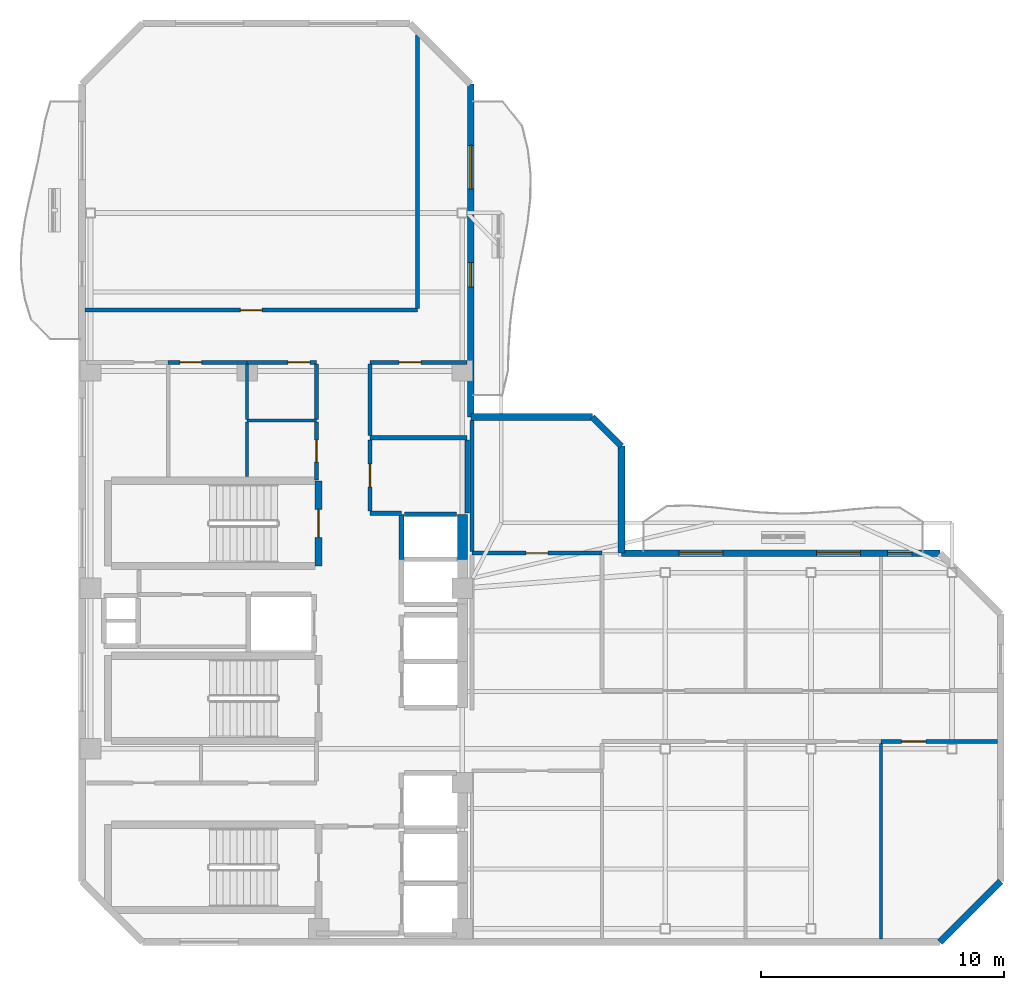
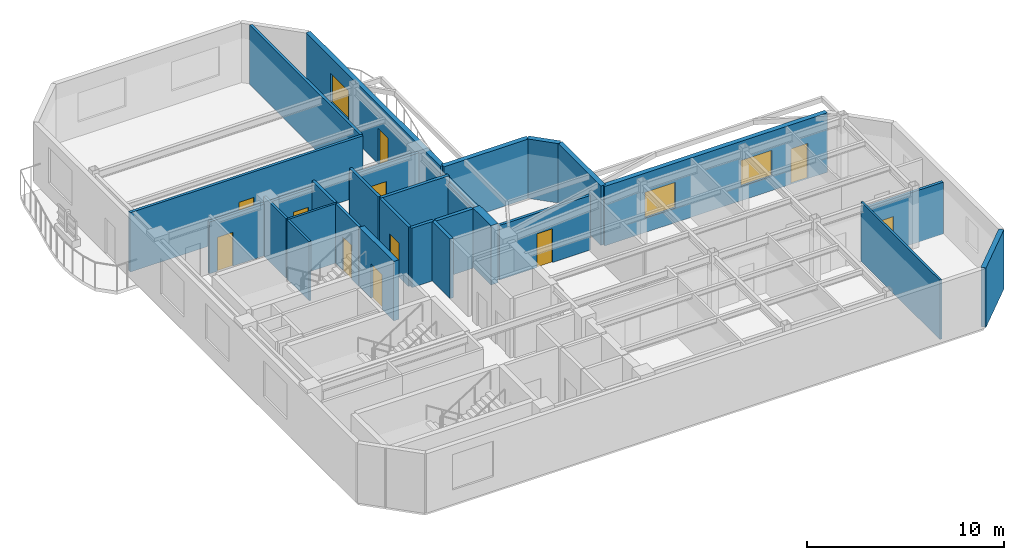
# One storey, part 4 of 7: 29 walls, 11 doors, 3 windows, 14 openings.
"""IFC4 building model written with IfcOpenShell, lengths in metres."""

from ifc_helpers import new_model, si_unit, direction, frame, frame_2d, origin, place, context, subcontext, project, spatial, rectangle, extrude, material, layer, layer_set, type_object, element, fill, save


model = new_model("IFC4")

# Units and contexts
model_context = context("Model", 3, precision=1e-05, world=origin(), true_north=direction((0.0, 1.0)))
body_context = subcontext(model_context, "Body", "Model", "MODEL_VIEW")
ifc_project = project(units=[si_unit("LENGTHUNIT", "METRE"), si_unit("AREAUNIT", "SQUARE_METRE"), si_unit("VOLUMEUNIT", "CUBIC_METRE"), si_unit("PLANEANGLEUNIT", "RADIAN"), si_unit("MASSUNIT", "GRAM", prefix="KILO")], contexts=[model_context])

# Site, building, storey
site_placement = place(None, origin())
site = spatial("IfcSite", under=ifc_project, at=site_placement, CompositionType="ELEMENT")
building_placement = place(site_placement, origin())
building = spatial("IfcBuilding", under=site, at=building_placement, Name="Mawjaban Terraces University", CompositionType="ELEMENT")
storey_placement = place(building_placement, frame((0.0, 0.0, 287.199951171875)))
storey = spatial("IfcBuildingStorey", under=building, at=storey_placement, Name="L70", CompositionType="ELEMENT", Elevation=287.199951171875)

# Walls
ifc_material_1 = material(Name="Acoustic masonry blockwork", Category="masonry")
ifc_layer_1 = layer(ifc_material_1, 0.179931640625)
ifc_layer_set_1 = layer_set([ifc_layer_1], Name="Acoustic masonry blockwork")
wall_type_1 = type_object("IfcWallType", Name="AcousticStudioWall_180", PredefinedType="PARTITIONING", material=ifc_layer_set_1)
wall_1_placement = place(storey_placement, frame((33.85009765625, 17.64990234375, 0.0), z_axis=(0.0, 0.0, 1.0), x_axis=(1.0, 0.0, 0.0)))
element("IfcWall", 1, at=wall_1_placement, inside=storey, type_object=wall_type_1, Name="L70 Graduate Research Collaboration Studio Partition 10", PredefinedType="PARTITIONING", context=body_context, shape_type="SweptSolid", body=[
    extrude(rectangle(XDim=1.2998046875, YDim=0.179931640625, at=frame_2d((0.64990234375, 0.0))), origin(), (0.0, 0.0, 1.0), 3.68994140625),
])
wall_2_placement = place(storey_placement, frame((37.85009765625, 20.75, 0.0), z_axis=(0.0, 0.0, 1.0), x_axis=(-1.0, 0.0, 0.0)))
element("IfcWall", 2, at=wall_2_placement, inside=storey, type_object=wall_type_1, Name="L70 Graduate Research Collaboration Studio Partition 13", PredefinedType="PARTITIONING", context=body_context, shape_type="SweptSolid", body=[
    extrude(rectangle(XDim=4.0, YDim=0.179931640625, at=frame_2d((2.0, 0.0))), origin(), (0.0, 0.0, 1.0), 3.68994140625),
])

# Wall, opening, door
wall_3_placement = place(storey_placement, frame((33.85009765625, 17.735107421875, 0.0), z_axis=(0.0, 0.0, 1.0), x_axis=(0.0, 1.0, 0.0)))
wall_3 = element("IfcWall", 3, at=wall_3_placement, inside=storey, type_object=wall_type_1, Name="L70 Core North Lift Lobby Partition 31", PredefinedType="PARTITIONING", context=body_context, shape_type="SweptSolid", body=[
    extrude(rectangle(XDim=2.929931640625, YDim=0.179931640625, at=frame_2d((1.46484375, 0.0))), origin(), (0.0, 0.0, 1.0), 3.68994140625),
])
opening_1_placement = place(wall_3_placement, frame((0.989990234375, 0.0, 0.0)))
opening_1 = element("IfcOpeningElement", 4, at=opening_1_placement, cuts=wall_3, Name="Opening ID-095", PredefinedType="OPENING", context=body_context, shape_type="SweptSolid", body=[
    extrude(rectangle(XDim=0.949951171875, YDim=2.10009765625, at=frame_2d((0.47509765625, 1.050048828125))), frame((0.0, 0.099853515625, 0.0), z_axis=(0.0, -1.0, 0.0), x_axis=(1.0, 0.0, 0.0)), (0.0, 0.0, 1.0), 0.199951171875),
])
ifc_material_2 = material(Name="Powder-coated steel frame and solid acoustic timber leaf", Category="steel")
door_type_1 = type_object("IfcDoorType", Name="StudioDoor_950x2100", OperationType="NOTDEFINED", PredefinedType="DOOR", material=ifc_material_2)
door_1_placement = place(opening_1_placement, origin())
door_1 = element("IfcDoor", 5, at=door_1_placement, inside=storey, type_object=door_type_1, Name="L70 Graduate Research Collaboration Studio Door", OperationType="SINGLE_SWING_RIGHT", OverallHeight=2.10009765625, OverallWidth=0.949951171875, PredefinedType="DOOR", context=body_context, shape_type="SweptSolid", body=[
    extrude(rectangle(XDim=0.949951171875, YDim=2.10009765625, at=frame_2d((0.47509765625, 1.050048828125))), frame((0.0, 0.02490234375, 0.0), z_axis=(0.0, -1.0, 0.0), x_axis=(1.0, 0.0, 0.0)), (0.0, 0.0, 1.0), 0.050048828125),
])
fill(opening_1, door_1)

# Walls
wall_4_placement = place(storey_placement, frame((37.85009765625, 17.64990234375, 0.0), z_axis=(0.0, 0.0, 1.0), x_axis=(0.0, 1.0, 0.0)))
element("IfcWall", 6, at=wall_4_placement, inside=storey, type_object=wall_type_1, Name="L70 Graduate Research Collaboration Studio Partition 34", PredefinedType="PARTITIONING", context=body_context, shape_type="SweptSolid", body=[
    extrude(rectangle(XDim=3.01513671875, YDim=0.179931640625, at=frame_2d((1.507568359375, 0.0))), origin(), (0.0, 0.0, 1.0), 3.220947265625),
])
wall_5_placement = place(storey_placement, frame((38.050048828125, 21.468017578125, 0.0), z_axis=(0.0, 0.0, 1.0), x_axis=(0.0, -1.0, 0.0)))
element("IfcWall", 7, at=wall_5_placement, inside=storey, type_object=wall_type_1, Name="L70 Terrace Collaborative Study Room Partition 37", PredefinedType="PARTITIONING", context=body_context, shape_type="SweptSolid", body=[
    extrude(rectangle(XDim=5.39306640625, YDim=0.179931640625, at=frame_2d((2.696533203125, 0.0))), origin(), (0.0, 0.0, 1.0), 3.220947265625),
])
ifc_material_3 = material(Name="Concrete C50/60", Category="concrete")
ifc_layer_2 = layer(ifc_material_3, 0.419921875)
ifc_layer_set_2 = layer_set([ifc_layer_2], Name="Concrete C50/60")
wall_type_2 = type_object("IfcWallType", Name="CoreShearWall_420", PredefinedType="SHEAR", material=ifc_layer_set_2)
wall_6_placement = place(storey_placement, frame((37.659912109375, 15.75, 0.0), z_axis=(0.0, 0.0, 1.0), x_axis=(0.0, 1.0, 0.0)))
element("IfcWall", 8, at=wall_6_placement, inside=storey, type_object=wall_type_2, Name="L70 Lift OL-2 Hoistway Wall East", PredefinedType="SHEAR", context=body_context, shape_type="SweptSolid", body=[
    extrude(rectangle(XDim=1.85009765625, YDim=0.419921875, at=frame_2d((0.925048828125, 0.0))), origin(), (0.0, 0.0, 1.0), 3.68994140625),
])

# Wall, opening, door
ifc_material_4 = material(Name="Fire-rated gypsum board on steel stud", Category="steel")
ifc_layer_3 = layer(ifc_material_4, 0.159912109375)
ifc_layer_set_3 = layer_set([ifc_layer_3], Name="Fire-rated gypsum board on steel stud")
wall_type_3 = type_object("IfcWallType", Name="CorridorPartition_160", PredefinedType="PARTITIONING", material=ifc_layer_set_3)
wall_7_placement = place(storey_placement, frame((28.800048828125, 23.85009765625, 0.0), z_axis=(0.0, 0.0, 1.0), x_axis=(-1.0, 0.0, 0.0)))
wall_7 = element("IfcWall", 9, at=wall_7_placement, inside=storey, type_object=wall_type_3, Name="L70 Staff Tea Pantry Partition 5", PredefinedType="PARTITIONING", context=body_context, shape_type="SweptSolid", body=[
    extrude(rectangle(XDim=3.25, YDim=0.159912109375, at=frame_2d((1.625, 0.0))), origin(), (0.0, 0.0, 1.0), 3.220947265625),
])
opening_2_placement = place(wall_7_placement, frame((1.875, 0.0, 0.0)))
opening_2 = element("IfcOpeningElement", 10, at=opening_2_placement, cuts=wall_7, Name="Opening ID-090", PredefinedType="OPENING", context=body_context, shape_type="SweptSolid", body=[
    extrude(rectangle(XDim=0.89990234375, YDim=2.10009765625, at=frame_2d((0.449951171875, 1.050048828125))), frame((0.0, 0.08984375, 0.0), z_axis=(0.0, -1.0, 0.0), x_axis=(1.0, 0.0, 0.0)), (0.0, 0.0, 1.0), 0.179931640625),
])
door_type_2 = type_object("IfcDoorType", Name="OfficeDoor_900x2100", OperationType="NOTDEFINED", PredefinedType="DOOR", material=ifc_material_2)
door_2_placement = place(opening_2_placement, origin())
door_2 = element("IfcDoor", 11, at=door_2_placement, inside=storey, type_object=door_type_2, Name="L70 Staff Tea Pantry Door", OperationType="SINGLE_SWING_RIGHT", OverallHeight=2.10009765625, OverallWidth=0.89990234375, PredefinedType="DOOR", context=body_context, shape_type="SweptSolid", body=[
    extrude(rectangle(XDim=0.89990234375, YDim=2.10009765625, at=frame_2d((0.449951171875, 1.050048828125))), frame((0.0, 0.02490234375, 0.0), z_axis=(0.0, -1.0, 0.0), x_axis=(1.0, 0.0, 0.0)), (0.0, 0.0, 1.0), 0.050048828125),
])
fill(opening_2, door_2)

wall_8_placement = place(storey_placement, frame((31.64990234375, 23.85009765625, 0.0), z_axis=(0.0, 0.0, 1.0), x_axis=(-1.0, 0.0, 0.0)))
wall_8 = element("IfcWall", 12, at=wall_8_placement, inside=storey, type_object=wall_type_3, Name="L70 Faculty Consultation Alcove Partition 9", PredefinedType="PARTITIONING", context=body_context, shape_type="SweptSolid", body=[
    extrude(rectangle(XDim=2.849853515625, YDim=0.159912109375, at=frame_2d((1.4248046875, 0.0))), origin(), (0.0, 0.0, 1.0), 3.220947265625),
])
opening_3_placement = place(wall_8_placement, frame((0.27490234375, 0.0, 0.0)))
opening_3 = element("IfcOpeningElement", 13, at=opening_3_placement, cuts=wall_8, Name="Opening ID-090", PredefinedType="OPENING", context=body_context, shape_type="SweptSolid", body=[
    extrude(rectangle(XDim=0.89990234375, YDim=2.10009765625, at=frame_2d((0.449951171875, 1.050048828125))), frame((0.0, 0.08984375, 0.0), z_axis=(0.0, -1.0, 0.0), x_axis=(1.0, 0.0, 0.0)), (0.0, 0.0, 1.0), 0.179931640625),
])
door_3_placement = place(opening_3_placement, origin())
door_3 = element("IfcDoor", 14, at=door_3_placement, inside=storey, type_object=door_type_2, Name="L70 Faculty Consultation Alcove Door", OperationType="SINGLE_SWING_LEFT", OverallHeight=2.10009765625, OverallWidth=0.89990234375, PredefinedType="DOOR", context=body_context, shape_type="SweptSolid", body=[
    extrude(rectangle(XDim=0.89990234375, YDim=2.10009765625, at=frame_2d((0.449951171875, 1.050048828125))), frame((0.0, 0.02490234375, 0.0), z_axis=(0.0, -1.0, 0.0), x_axis=(1.0, 0.0, 0.0)), (0.0, 0.0, 1.0), 0.050048828125),
])
fill(opening_3, door_3)

wall_9_placement = place(storey_placement, frame((35.800048828125, 26.0, 0.0), z_axis=(0.0, 0.0, 1.0), x_axis=(-1.0, 0.0, 0.0)))
wall_9 = element("IfcWall", 15, at=wall_9_placement, inside=storey, type_object=wall_type_3, Name="L70 North Core Cross-Corridor Partition 12", PredefinedType="PARTITIONING", context=body_context, shape_type="SweptSolid", body=[
    extrude(rectangle(XDim=13.6669921875, YDim=0.159912109375, at=frame_2d((6.83349609375, 0.0))), origin(), (0.0, 0.0, 1.0), 3.68994140625),
])
opening_4_placement = place(wall_9_placement, frame((6.383056640625, 0.0, 0.0)))
opening_4 = element("IfcOpeningElement", 16, at=opening_4_placement, cuts=wall_9, Name="Opening ID-090", PredefinedType="OPENING", context=body_context, shape_type="SweptSolid", body=[
    extrude(rectangle(XDim=0.89990234375, YDim=2.10009765625, at=frame_2d((0.449951171875, 1.050048828125))), frame((0.0, 0.08984375, 0.0), z_axis=(0.0, -1.0, 0.0), x_axis=(1.0, 0.0, 0.0)), (0.0, 0.0, 1.0), 0.179931640625),
])
door_4_placement = place(opening_4_placement, origin())
door_4 = element("IfcDoor", 17, at=door_4_placement, inside=storey, type_object=door_type_2, Name="L70 Collaborative Study Room 8 Door", OperationType="SINGLE_SWING_RIGHT", OverallHeight=2.10009765625, OverallWidth=0.89990234375, PredefinedType="DOOR", context=body_context, shape_type="SweptSolid", body=[
    extrude(rectangle(XDim=0.89990234375, YDim=2.10009765625, at=frame_2d((0.449951171875, 1.050048828125))), frame((0.0, 0.02490234375, 0.0), z_axis=(0.0, -1.0, 0.0), x_axis=(1.0, 0.0, 0.0)), (0.0, 0.0, 1.0), 0.050048828125),
])
fill(opening_4, door_4)

wall_10_placement = place(storey_placement, frame((37.85009765625, 23.85009765625, 0.0), z_axis=(0.0, 0.0, 1.0), x_axis=(-1.0, 0.0, 0.0)))
wall_10 = element("IfcWall", 18, at=wall_10_placement, inside=storey, type_object=wall_type_3, Name="L70 Departmental Copy and Archive Room Partition 14", PredefinedType="PARTITIONING", context=body_context, shape_type="SweptSolid", body=[
    extrude(rectangle(XDim=4.0, YDim=0.159912109375, at=frame_2d((2.0, 0.0))), origin(), (0.0, 0.0, 1.0), 3.220947265625),
])
opening_5_placement = place(wall_10_placement, frame((1.89990234375, 0.0, 0.0)))
opening_5 = element("IfcOpeningElement", 19, at=opening_5_placement, cuts=wall_10, Name="Opening ID-090", PredefinedType="OPENING", context=body_context, shape_type="SweptSolid", body=[
    extrude(rectangle(XDim=0.89990234375, YDim=2.10009765625, at=frame_2d((0.449951171875, 1.050048828125))), frame((0.0, 0.08984375, 0.0), z_axis=(0.0, -1.0, 0.0), x_axis=(1.0, 0.0, 0.0)), (0.0, 0.0, 1.0), 0.179931640625),
])
door_5_placement = place(opening_5_placement, origin())
door_5 = element("IfcDoor", 20, at=door_5_placement, inside=storey, type_object=door_type_2, Name="L70 Departmental Copy and Archive Room Door", OperationType="SINGLE_SWING_LEFT", OverallHeight=2.10009765625, OverallWidth=0.89990234375, PredefinedType="DOOR", context=body_context, shape_type="SweptSolid", body=[
    extrude(rectangle(XDim=0.89990234375, YDim=2.10009765625, at=frame_2d((0.449951171875, 1.050048828125))), frame((0.0, 0.02490234375, 0.0), z_axis=(0.0, -1.0, 0.0), x_axis=(1.0, 0.0, 0.0)), (0.0, 0.0, 1.0), 0.050048828125),
])
fill(opening_5, door_5)

wall_11_placement = place(storey_placement, frame((43.39990234375, 16.0, 0.0), z_axis=(0.0, 0.0, 1.0), x_axis=(-1.0, 0.0, 0.0)))
wall_11 = element("IfcWall", 21, at=wall_11_placement, inside=storey, type_object=wall_type_3, Name="L70 Upper Research Hub Concourse Partition 17", PredefinedType="PARTITIONING", context=body_context, shape_type="SweptSolid", body=[
    extrude(rectangle(XDim=5.349853515625, YDim=0.159912109375, at=frame_2d((2.6748046875, 0.0))), origin(), (0.0, 0.0, 1.0), 3.39013671875),
])
opening_6_placement = place(wall_11_placement, frame((2.22509765625, 0.0, 0.0)))
opening_6 = element("IfcOpeningElement", 22, at=opening_6_placement, cuts=wall_11, Name="Opening ID-090", PredefinedType="OPENING", context=body_context, shape_type="SweptSolid", body=[
    extrude(rectangle(XDim=0.89990234375, YDim=2.10009765625, at=frame_2d((0.449951171875, 1.050048828125))), frame((0.0, 0.08984375, 0.0), z_axis=(0.0, -1.0, 0.0), x_axis=(1.0, 0.0, 0.0)), (0.0, 0.0, 1.0), 0.179931640625),
])
door_6_placement = place(opening_6_placement, origin())
door_6 = element("IfcDoor", 23, at=door_6_placement, inside=storey, type_object=door_type_2, Name="L70 Terrace Collaborative Study Room Door", OperationType="SINGLE_SWING_LEFT", OverallHeight=2.10009765625, OverallWidth=0.89990234375, PredefinedType="DOOR", context=body_context, shape_type="SweptSolid", body=[
    extrude(rectangle(XDim=0.89990234375, YDim=2.10009765625, at=frame_2d((0.449951171875, 1.050048828125))), frame((0.0, 0.02490234375, 0.0), z_axis=(0.0, -1.0, 0.0), x_axis=(1.0, 0.0, 0.0)), (0.0, 0.0, 1.0), 0.050048828125),
])
fill(opening_6, door_6)

wall_12_placement = place(storey_placement, frame((54.8798828125, 8.25, 0.0), z_axis=(0.0, 0.0, 1.0), x_axis=(1.0, 0.0, 0.0)))
wall_12 = element("IfcWall", 24, at=wall_12_placement, inside=storey, type_object=wall_type_3, Name="L70 Upper East Research Corridor Partition 20", PredefinedType="PARTITIONING", context=body_context, shape_type="SweptSolid", body=[
    extrude(rectangle(XDim=4.787109375, YDim=0.159912109375, at=frame_2d((2.3935546875, 0.0))), origin(), (0.0, 0.0, 1.0), 3.220947265625),
])
opening_7_placement = place(wall_12_placement, frame((0.843017578125, 0.0, 0.0)))
opening_7 = element("IfcOpeningElement", 25, at=opening_7_placement, cuts=wall_12, Name="Opening ID-100", PredefinedType="OPENING", context=body_context, shape_type="SweptSolid", body=[
    extrude(rectangle(XDim=1.0, YDim=2.10009765625, at=frame_2d((0.5, 1.050048828125))), frame((0.0, 0.08984375, 0.0), z_axis=(0.0, -1.0, 0.0), x_axis=(1.0, 0.0, 0.0)), (0.0, 0.0, 1.0), 0.179931640625),
])
door_type_3 = type_object("IfcDoorType", Name="ClassroomDoor_1000x2100", OperationType="NOTDEFINED", PredefinedType="DOOR", material=ifc_material_2)
door_7_placement = place(opening_7_placement, origin())
door_7 = element("IfcDoor", 26, at=door_7_placement, inside=storey, type_object=door_type_3, Name="L70 Classroom 6 Door", OperationType="SINGLE_SWING_RIGHT", OverallHeight=2.10009765625, OverallWidth=1.0, PredefinedType="DOOR", context=body_context, shape_type="SweptSolid", body=[
    extrude(rectangle(XDim=1.0, YDim=2.10009765625, at=frame_2d((0.5, 1.050048828125))), frame((0.0, 0.02490234375, 0.0), z_axis=(0.0, -1.0, 0.0), x_axis=(1.0, 0.0, 0.0)), (0.0, 0.0, 1.0), 0.050048828125),
])
fill(opening_7, door_7)

wall_13_placement = place(storey_placement, frame((31.64990234375, 19.010009765625, 0.0), z_axis=(0.0, 0.0, 1.0), x_axis=(0.0, 1.0, 0.0)))
wall_13 = element("IfcWall", 27, at=wall_13_placement, inside=storey, type_object=wall_type_3, Name="L70 Faculty Academic Resource Office Partition 29", PredefinedType="PARTITIONING", context=body_context, shape_type="SweptSolid", body=[
    extrude(rectangle(XDim=2.382080078125, YDim=0.159912109375, at=frame_2d((1.19091796875, 0.0))), origin(), (0.0, 0.0, 1.0), 3.68994140625),
])
opening_8_placement = place(wall_13_placement, frame((0.740966796875, 0.0, 0.0)))
opening_8 = element("IfcOpeningElement", 28, at=opening_8_placement, cuts=wall_13, Name="Opening ID-090", PredefinedType="OPENING", context=body_context, shape_type="SweptSolid", body=[
    extrude(rectangle(XDim=0.89990234375, YDim=2.10009765625, at=frame_2d((0.449951171875, 1.050048828125))), frame((0.0, 0.08984375, 0.0), z_axis=(0.0, -1.0, 0.0), x_axis=(1.0, 0.0, 0.0)), (0.0, 0.0, 1.0), 0.179931640625),
])
door_8_placement = place(opening_8_placement, origin())
door_8 = element("IfcDoor", 29, at=door_8_placement, inside=storey, type_object=door_type_2, Name="L70 Faculty Academic Resource Office Door", OperationType="SINGLE_SWING_RIGHT", OverallHeight=2.10009765625, OverallWidth=0.89990234375, PredefinedType="DOOR", context=body_context, shape_type="SweptSolid", body=[
    extrude(rectangle(XDim=0.89990234375, YDim=2.10009765625, at=frame_2d((0.449951171875, 1.050048828125))), frame((0.0, 0.02490234375, 0.0), z_axis=(0.0, -1.0, 0.0), x_axis=(1.0, 0.0, 0.0)), (0.0, 0.0, 1.0), 0.050048828125),
])
fill(opening_8, door_8)

# Walls
wall_14_placement = place(storey_placement, frame((31.64990234375, 23.77490234375, 0.0), z_axis=(0.0, 0.0, 1.0), x_axis=(0.0, -1.0, 0.0)))
element("IfcWall", 30, at=wall_14_placement, inside=storey, type_object=wall_type_3, Name="L70 Core North Lift Lobby Partition 30", PredefinedType="PARTITIONING", context=body_context, shape_type="SweptSolid", body=[
    extrude(rectangle(XDim=2.266845703125, YDim=0.159912109375, at=frame_2d((1.13330078125, 0.0))), origin(), (0.0, 0.0, 1.0), 3.68994140625),
])
wall_15_placement = place(storey_placement, frame((33.85009765625, 20.8349609375, 0.0), z_axis=(0.0, 0.0, 1.0), x_axis=(0.0, 1.0, 0.0)))
element("IfcWall", 31, at=wall_15_placement, inside=storey, type_object=wall_type_3, Name="L70 Core North Lift Lobby Partition 32", PredefinedType="PARTITIONING", context=body_context, shape_type="SweptSolid", body=[
    extrude(rectangle(XDim=2.93994140625, YDim=0.159912109375, at=frame_2d((1.469970703125, 0.0))), origin(), (0.0, 0.0, 1.0), 3.68994140625),
])
wall_16_placement = place(storey_placement, frame((35.800048828125, 37.31298828125, 0.0), z_axis=(0.0, 0.0, 1.0), x_axis=(0.0, -1.0, 0.0)))
element("IfcWall", 32, at=wall_16_placement, inside=storey, type_object=wall_type_3, Name="L70 Upper North Research Gallery Partition 33", PredefinedType="PARTITIONING", context=body_context, shape_type="SweptSolid", body=[
    extrude(rectangle(XDim=11.238037109375, YDim=0.159912109375, at=frame_2d((5.619140625, 0.0))), origin(), (0.0, 0.0, 1.0), 3.68994140625),
])
ifc_material_5 = material(Name="Insulated terracotta rainscreen on concrete backup C40/50", Category="masonry")
ifc_layer_4 = layer(ifc_material_5, 0.27490234375)
ifc_layer_set_4 = layer_set([ifc_layer_4], Name="Insulated terracotta rainscreen on concrete backup C40/50")
wall_type_4 = type_object("IfcWallType", Name="ExtTerracottaWall_275", PredefinedType="SOLIDWALL", material=ifc_layer_set_4)
wall_17_placement = place(storey_placement, frame((57.300048828125, 0.0, 0.0), z_axis=(0.0, 0.0, 1.0), x_axis=(0.707106781187, 0.707106781187, 0.0)))
element("IfcWall", 33, at=wall_17_placement, inside=storey, type_object=wall_type_4, Name="L70 Exterior Terracotta Wall 2", PredefinedType="SOLIDWALL", context=body_context, shape_type="SweptSolid", body=[
    extrude(rectangle(XDim=3.53564453125, YDim=0.27490234375, at=frame_2d((1.767822265625, 0.0))), origin(), (0.0, 0.0, 1.0), 3.68994140625),
])

# Wall, openings, door, windows
wall_18_placement = place(storey_placement, frame((57.300048828125, 16.0, 0.0), z_axis=(0.0, 0.0, 1.0), x_axis=(-1.0, 0.0, 0.0)))
wall_18 = element("IfcWall", 34, at=wall_18_placement, inside=storey, type_object=wall_type_4, Name="L70 Exterior Terracotta Wall 5", PredefinedType="SOLIDWALL", context=body_context, shape_type="SweptSolid", body=[
    extrude(rectangle(XDim=13.10009765625, YDim=0.27490234375, at=frame_2d((6.550048828125, 0.0))), origin(), (0.0, 0.0, 1.0), 3.68994140625),
])
opening_9_placement = place(wall_18_placement, frame((1.14990234375, 0.0, 0.0)))
opening_9 = element("IfcOpeningElement", 35, at=opening_9_placement, cuts=wall_18, Name="Opening BD-100", PredefinedType="OPENING", context=body_context, shape_type="SweptSolid", body=[
    extrude(rectangle(XDim=1.0, YDim=2.199951171875, at=frame_2d((0.5, 1.10009765625))), frame((0.0, 0.1474609375, 0.0), z_axis=(0.0, -1.0, 0.0), x_axis=(1.0, 0.0, 0.0)), (0.0, 0.0, 1.0), 0.294921875),
])
opening_10_placement = place(wall_18_placement, frame((3.27490234375, 0.0, 0.89990234375)))
opening_10 = element("IfcOpeningElement", 36, at=opening_10_placement, cuts=wall_18, Name="Opening W-03", PredefinedType="OPENING", context=body_context, shape_type="SweptSolid", body=[
    extrude(rectangle(XDim=1.800048828125, YDim=1.60009765625, at=frame_2d((0.89990234375, 0.800048828125))), frame((0.0, 0.1474609375, 0.0), z_axis=(0.0, -1.0, 0.0), x_axis=(1.0, 0.0, 0.0)), (0.0, 0.0, 1.0), 0.294921875),
])
opening_11_placement = place(wall_18_placement, frame((8.925048828125, 0.0, 0.89990234375)))
opening_11 = element("IfcOpeningElement", 37, at=opening_11_placement, cuts=wall_18, Name="Opening W-03", PredefinedType="OPENING", context=body_context, shape_type="SweptSolid", body=[
    extrude(rectangle(XDim=1.800048828125, YDim=1.60009765625, at=frame_2d((0.89990234375, 0.800048828125))), frame((0.0, 0.1474609375, 0.0), z_axis=(0.0, -1.0, 0.0), x_axis=(1.0, 0.0, 0.0)), (0.0, 0.0, 1.0), 0.294921875),
])
ifc_material_6 = material(Name="Thermally broken anodised aluminium and laminated safety glass", Category="aluminium")
door_type_4 = type_object("IfcDoorType", Name="BalconyGlazedDoor_1000x2200", OperationType="NOTDEFINED", PredefinedType="DOOR", material=ifc_material_6)
door_9_placement = place(opening_9_placement, origin())
door_9 = element("IfcDoor", 38, at=door_9_placement, inside=storey, type_object=door_type_4, Name="L70 Balcony Access Door inner_north", OperationType="SINGLE_SWING_LEFT", OverallHeight=2.199951171875, OverallWidth=1.0, PredefinedType="DOOR", context=body_context, shape_type="SweptSolid", body=[
    extrude(rectangle(XDim=1.0, YDim=2.199951171875, at=frame_2d((0.5, 1.10009765625))), frame((0.0, 0.02490234375, 0.0), z_axis=(0.0, -1.0, 0.0), x_axis=(1.0, 0.0, 0.0)), (0.0, 0.0, 1.0), 0.050048828125),
])
fill(opening_9, door_9)
ifc_material_7 = material(Name="Low-E solar-control double glazing in thermally broken aluminium frame", Category="aluminium")
window_type_1 = type_object("IfcWindowType", Name="Win_1800x1600", PartitioningType="SINGLE_PANEL", PredefinedType="WINDOW", material=ifc_material_7)
window_1_placement = place(opening_10_placement, origin())
window_1 = element("IfcWindow", 39, at=window_1_placement, inside=storey, type_object=window_type_1, Name="L70 Facade Window 5.1", OverallHeight=1.60009765625, OverallWidth=1.800048828125, PartitioningType="SINGLE_PANEL", PredefinedType="WINDOW", context=body_context, shape_type="SweptSolid", body=[
    extrude(rectangle(XDim=1.800048828125, YDim=1.60009765625, at=frame_2d((0.89990234375, 0.800048828125))), frame((0.0, 0.030029296875, 0.0), z_axis=(0.0, -1.0, 0.0), x_axis=(1.0, 0.0, 0.0)), (0.0, 0.0, 1.0), 0.06005859375),
])
fill(opening_10, window_1)
window_2_placement = place(opening_11_placement, origin())
window_2 = element("IfcWindow", 40, at=window_2_placement, inside=storey, type_object=window_type_1, Name="L70 Facade Window 5.2", OverallHeight=1.60009765625, OverallWidth=1.800048828125, PartitioningType="SINGLE_PANEL", PredefinedType="WINDOW", context=body_context, shape_type="SweptSolid", body=[
    extrude(rectangle(XDim=1.800048828125, YDim=1.60009765625, at=frame_2d((0.89990234375, 0.800048828125))), frame((0.0, 0.030029296875, 0.0), z_axis=(0.0, -1.0, 0.0), x_axis=(1.0, 0.0, 0.0)), (0.0, 0.0, 1.0), 0.06005859375),
])
fill(opening_11, window_2)

# Walls
wall_19_placement = place(storey_placement, frame((44.199951171875, 16.0, 0.0), z_axis=(0.0, 0.0, 1.0), x_axis=(0.0, 1.0, 0.0)))
element("IfcWall", 41, at=wall_19_placement, inside=storey, type_object=wall_type_4, Name="L70 Exterior Terracotta Wall 6", PredefinedType="SOLIDWALL", context=body_context, shape_type="SweptSolid", body=[
    extrude(rectangle(XDim=4.39990234375, YDim=0.27490234375, at=frame_2d((2.199951171875, 0.0))), origin(), (0.0, 0.0, 1.0), 3.68994140625),
])
wall_20_placement = place(storey_placement, frame((44.199951171875, 20.39990234375, 0.0), z_axis=(0.0, 0.0, 1.0), x_axis=(-0.707034851297, 0.707178703759, 0.0)))
element("IfcWall", 42, at=wall_20_placement, inside=storey, type_object=wall_type_4, Name="L70 Exterior Terracotta Wall 7", PredefinedType="SOLIDWALL", context=body_context, shape_type="SweptSolid", body=[
    extrude(rectangle(XDim=1.697265625, YDim=0.27490234375, at=frame_2d((0.8486328125, 0.0))), origin(), (0.0, 0.0, 1.0), 3.68994140625),
])
wall_21_placement = place(storey_placement, frame((43.0, 21.60009765625, 0.0), z_axis=(0.0, 0.0, 1.0), x_axis=(-1.0, 0.0, 0.0)))
element("IfcWall", 43, at=wall_21_placement, inside=storey, type_object=wall_type_4, Name="L70 Exterior Terracotta Wall 8", PredefinedType="SOLIDWALL", context=body_context, shape_type="SweptSolid", body=[
    extrude(rectangle(XDim=5.0, YDim=0.27490234375, at=frame_2d((2.5, 0.0))), origin(), (0.0, 0.0, 1.0), 3.68994140625),
])

# Wall, openings, door, window
wall_22_placement = place(storey_placement, frame((38.0, 21.60009765625, 0.0), z_axis=(0.0, 0.0, 1.0), x_axis=(0.0, 1.0, 0.0)))
wall_22 = element("IfcWall", 44, at=wall_22_placement, inside=storey, type_object=wall_type_4, Name="L70 Exterior Terracotta Wall 9", PredefinedType="SOLIDWALL", context=body_context, shape_type="SweptSolid", body=[
    extrude(rectangle(XDim=13.699951171875, YDim=0.27490234375, at=frame_2d((6.85009765625, 0.0))), origin(), (0.0, 0.0, 1.0), 3.68994140625),
])
opening_12_placement = place(wall_22_placement, frame((5.35009765625, 0.0, 0.0)))
opening_12 = element("IfcOpeningElement", 45, at=opening_12_placement, cuts=wall_22, Name="Opening BD-100", PredefinedType="OPENING", context=body_context, shape_type="SweptSolid", body=[
    extrude(rectangle(XDim=1.0, YDim=2.199951171875, at=frame_2d((0.5, 1.10009765625))), frame((0.0, 0.1474609375, 0.0), z_axis=(0.0, -1.0, 0.0), x_axis=(1.0, 0.0, 0.0)), (0.0, 0.0, 1.0), 0.294921875),
])
opening_13_placement = place(wall_22_placement, frame((9.375, 0.0, 0.89990234375)))
opening_13 = element("IfcOpeningElement", 46, at=opening_13_placement, cuts=wall_22, Name="Opening W-07", PredefinedType="OPENING", context=body_context, shape_type="SweptSolid", body=[
    extrude(rectangle(XDim=1.800048828125, YDim=1.800048828125, at=frame_2d((0.89990234375, 0.89990234375))), frame((0.0, 0.1474609375, 0.0), z_axis=(0.0, -1.0, 0.0), x_axis=(1.0, 0.0, 0.0)), (0.0, 0.0, 1.0), 0.294921875),
])
door_10_placement = place(opening_12_placement, origin())
door_10 = element("IfcDoor", 47, at=door_10_placement, inside=storey, type_object=door_type_4, Name="L70 Balcony Access Door inner_east", OperationType="SINGLE_SWING_LEFT", OverallHeight=2.199951171875, OverallWidth=1.0, PredefinedType="DOOR", context=body_context, shape_type="SweptSolid", body=[
    extrude(rectangle(XDim=1.0, YDim=2.199951171875, at=frame_2d((0.5, 1.10009765625))), frame((0.0, 0.02490234375, 0.0), z_axis=(0.0, -1.0, 0.0), x_axis=(1.0, 0.0, 0.0)), (0.0, 0.0, 1.0), 0.050048828125),
])
fill(opening_12, door_10)
window_type_2 = type_object("IfcWindowType", Name="Win_1800x1800", PartitioningType="SINGLE_PANEL", PredefinedType="WINDOW", material=ifc_material_7)
window_3_placement = place(opening_13_placement, origin())
window_3 = element("IfcWindow", 48, at=window_3_placement, inside=storey, type_object=window_type_2, Name="L70 Facade Window 9.2", OverallHeight=1.800048828125, OverallWidth=1.800048828125, PartitioningType="SINGLE_PANEL", PredefinedType="WINDOW", context=body_context, shape_type="SweptSolid", body=[
    extrude(rectangle(XDim=1.800048828125, YDim=1.800048828125, at=frame_2d((0.89990234375, 0.89990234375))), frame((0.0, 0.030029296875, 0.0), z_axis=(0.0, -1.0, 0.0), x_axis=(1.0, 0.0, 0.0)), (0.0, 0.0, 1.0), 0.06005859375),
])
fill(opening_13, window_3)

# Walls
ifc_material_8 = material(Name="Concrete C40/50", Category="concrete")
ifc_layer_5 = layer(ifc_material_8, 0.199951171875)
ifc_layer_set_5 = layer_set([ifc_layer_5], Name="Concrete C40/50")
wall_type_5 = type_object("IfcWallType", Name="FireLobbyWall_200", PredefinedType="SOLIDWALL", material=ifc_layer_set_5)
wall_23_placement = place(storey_placement, frame((35.14990234375, 17.60009765625, 0.0), z_axis=(0.0, 0.0, 1.0), x_axis=(0.0, -1.0, 0.0)))
element("IfcWall", 49, at=wall_23_placement, inside=storey, type_object=wall_type_5, Name="L70 Lift OL-2 Hoistway Wall West", PredefinedType="SOLIDWALL", context=body_context, shape_type="SweptSolid", body=[
    extrude(rectangle(XDim=1.85009765625, YDim=0.199951171875, at=frame_2d((0.925048828125, 0.0))), origin(), (0.0, 0.0, 1.0), 3.68994140625),
])
wall_24_placement = place(storey_placement, frame((37.419921875, 17.60009765625, 0.0), z_axis=(0.0, 0.0, 1.0), x_axis=(-1.0, 0.0, 0.0)))
element("IfcWall", 50, at=wall_24_placement, inside=storey, type_object=wall_type_5, Name="L70 Lift OL-2 Hoistway Wall North", PredefinedType="SOLIDWALL", context=body_context, shape_type="SweptSolid", body=[
    extrude(rectangle(XDim=2.139892578125, YDim=0.199951171875, at=frame_2d((1.06982421875, 0.0))), origin(), (0.0, 0.0, 1.0), 3.68994140625),
])
ifc_material_9 = material(Name="Gypsum plasterboard on steel stud", Category="steel")
ifc_layer_6 = layer(ifc_material_9, 0.125)
ifc_layer_set_6 = layer_set([ifc_layer_6], Name="Gypsum plasterboard on steel stud")
wall_type_6 = type_object("IfcWallType", Name="OfficePartition_125", PredefinedType="PARTITIONING", material=ifc_layer_set_6)
wall_25_placement = place(storey_placement, frame((31.64990234375, 21.449951171875, 0.0), z_axis=(0.0, 0.0, 1.0), x_axis=(-1.0, 0.0, 0.0)))
element("IfcWall", 51, at=wall_25_placement, inside=storey, type_object=wall_type_6, Name="L70 Faculty Academic Resource Office Partition 8", PredefinedType="PARTITIONING", context=body_context, shape_type="SweptSolid", body=[
    extrude(rectangle(XDim=2.849853515625, YDim=0.125, at=frame_2d((1.4248046875, 0.0))), origin(), (0.0, 0.0, 1.0), 3.68994140625),
])
wall_26_placement = place(storey_placement, frame((28.800048828125, 21.39208984375, 0.0), z_axis=(0.0, 0.0, 1.0), x_axis=(0.0, -1.0, 0.0)))
element("IfcWall", 52, at=wall_26_placement, inside=storey, type_object=wall_type_6, Name="L70 Faculty Academic Resource Office Partition 26", PredefinedType="PARTITIONING", context=body_context, shape_type="SweptSolid", body=[
    extrude(rectangle(XDim=2.232177734375, YDim=0.125, at=frame_2d((1.1162109375, 0.0))), origin(), (0.0, 0.0, 1.0), 3.68994140625),
])
wall_27_placement = place(storey_placement, frame((28.800048828125, 23.77490234375, 0.0), z_axis=(0.0, 0.0, 1.0), x_axis=(0.0, -1.0, 0.0)))
element("IfcWall", 53, at=wall_27_placement, inside=storey, type_object=wall_type_6, Name="L70 Faculty Consultation Alcove Partition 27", PredefinedType="PARTITIONING", context=body_context, shape_type="SweptSolid", body=[
    extrude(rectangle(XDim=2.266845703125, YDim=0.125, at=frame_2d((1.13330078125, 0.0))), origin(), (0.0, 0.0, 1.0), 3.68994140625),
])
wall_28_placement = place(storey_placement, frame((54.8798828125, 0.133056640625, 0.0), z_axis=(0.0, 0.0, 1.0), x_axis=(0.0, 1.0, 0.0)))
element("IfcWall", 54, at=wall_28_placement, inside=storey, type_object=wall_type_6, Name="L70 Graduate Study Lounge 4 Partition 43", PredefinedType="PARTITIONING", context=body_context, shape_type="SweptSolid", body=[
    extrude(rectangle(XDim=8.0419921875, YDim=0.125, at=frame_2d((4.02099609375, 0.0))), origin(), (0.0, 0.0, 1.0), 3.68994140625),
])

# Wall, opening, door
ifc_material_10 = material(Name="Concrete C60/75", Category="concrete")
ifc_layer_7 = layer(ifc_material_10, 0.300048828125)
ifc_layer_set_7 = layer_set([ifc_layer_7], Name="Concrete C60/75")
wall_type_7 = type_object("IfcWallType", Name="StairShaftWall_300", PredefinedType="SHEAR", material=ifc_layer_set_7)
wall_29_placement = place(storey_placement, frame((31.72998046875, 15.469970703125, 0.0), z_axis=(0.0, 0.0, 1.0), x_axis=(0.0, 1.0, 0.0)))
wall_29 = element("IfcWall", 55, at=wall_29_placement, inside=storey, type_object=wall_type_7, Name="L70 ST-2 Stair Shaft Wall 4", PredefinedType="SHEAR", context=body_context, shape_type="SweptSolid", body=[
    extrude(rectangle(XDim=3.510009765625, YDim=0.300048828125, at=frame_2d((1.7548828125, 0.0))), origin(), (0.0, 0.0, 1.0), 3.68994140625),
])
opening_14_placement = place(wall_29_placement, frame((1.179931640625, 0.0, 0.0)))
opening_14 = element("IfcOpeningElement", 56, at=opening_14_placement, cuts=wall_29, Name="Opening FD-115", PredefinedType="OPENING", context=body_context, shape_type="SweptSolid", body=[
    extrude(rectangle(XDim=1.14990234375, YDim=2.14990234375, at=frame_2d((0.574951171875, 1.074951171875))), frame((0.0, 0.159912109375, 0.0), z_axis=(0.0, -1.0, 0.0), x_axis=(1.0, 0.0, 0.0)), (0.0, 0.0, 1.0), 0.320068359375),
])
ifc_material_11 = material(Name="Powder-coated steel frame and fire-rated steel-faced leaf", Category="steel")
door_type_5 = type_object("IfcDoorType", Name="FireStairDoor_1150x2150", OperationType="NOTDEFINED", PredefinedType="DOOR", material=ifc_material_11)
door_11_placement = place(opening_14_placement, origin())
door_11 = element("IfcDoor", 57, at=door_11_placement, inside=storey, type_object=door_type_5, Name="L70 ST-2 Pressurised Stair Fire Door", OperationType="SINGLE_SWING_LEFT", OverallHeight=2.14990234375, OverallWidth=1.14990234375, PredefinedType="DOOR", context=body_context, shape_type="SweptSolid", body=[
    extrude(rectangle(XDim=1.14990234375, YDim=2.14990234375, at=frame_2d((0.574951171875, 1.074951171875))), frame((0.0, 0.02490234375, 0.0), z_axis=(0.0, -1.0, 0.0), x_axis=(1.0, 0.0, 0.0)), (0.0, 0.0, 1.0), 0.050048828125),
])
fill(opening_14, door_11)

save(model, "model.ifc")
